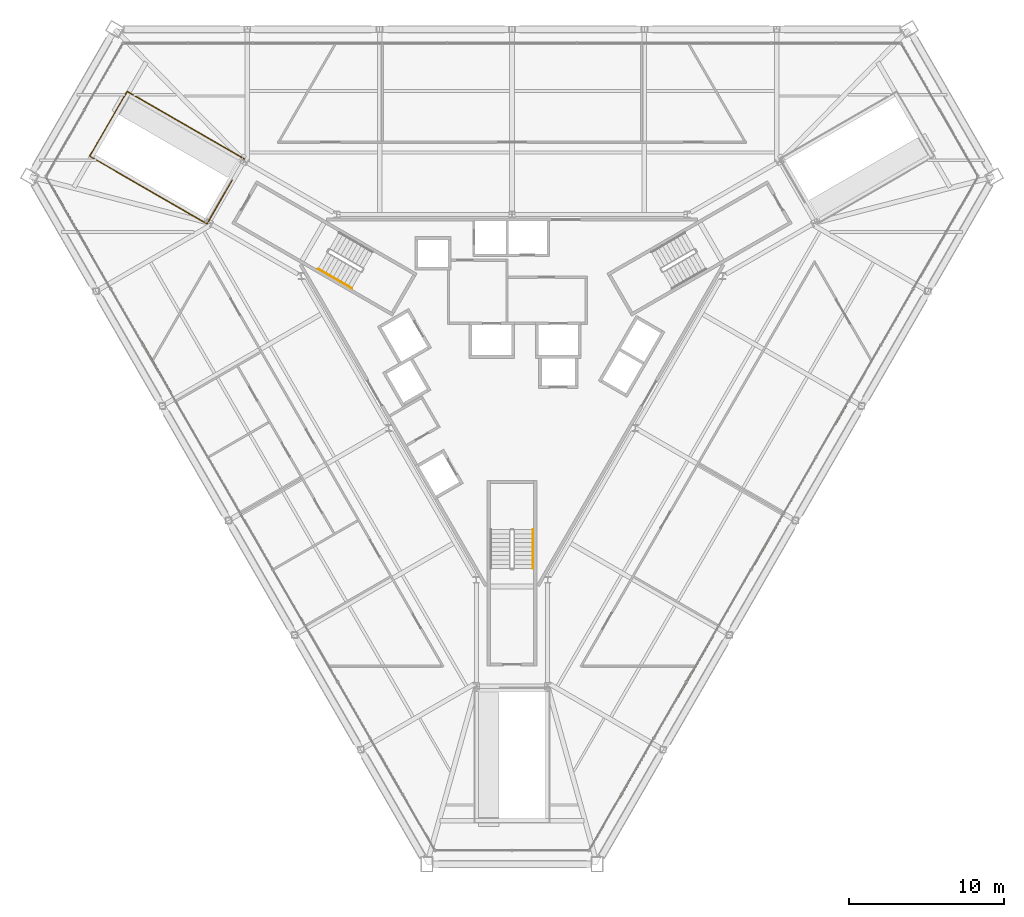
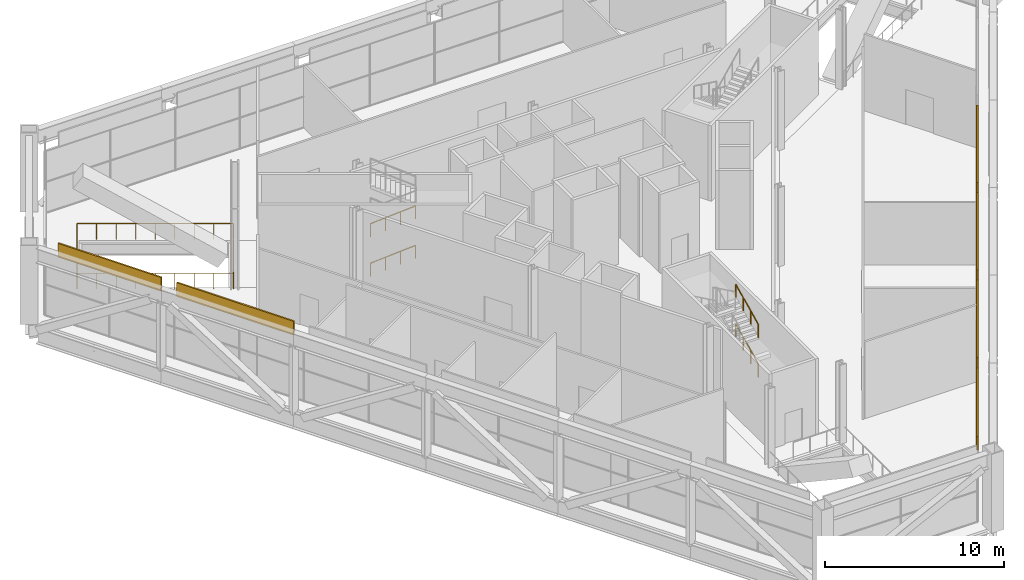
# One storey, part 17 of 20: 6 coverings, 5 railings.
"""IFC4 building model written with IfcOpenShell, lengths in metres."""

from ifc_helpers import new_model, si_unit, direction, frame, origin, origin_2d, place, context, subcontext, project, spatial, rectangle, circle, extrude, material, layer, layer_set, type_object, element, save


model = new_model("IFC4")

# Units and contexts
model_context = context("Model", 3, precision=1e-05, world=origin(), true_north=direction((0.0, 1.0)))
body_context = subcontext(model_context, "Body", "Model", "MODEL_VIEW")
ifc_project = project(units=[si_unit("LENGTHUNIT", "METRE"), si_unit("AREAUNIT", "SQUARE_METRE"), si_unit("VOLUMEUNIT", "CUBIC_METRE"), si_unit("PLANEANGLEUNIT", "RADIAN"), si_unit("MASSUNIT", "GRAM", prefix="KILO")], contexts=[model_context])

# Site, building, storey
site_placement = place(None, origin())
site = spatial("IfcSite", under=ifc_project, at=site_placement, CompositionType="ELEMENT")
building_placement = place(site_placement, origin())
building = spatial("IfcBuilding", under=site, at=building_placement, Name="Verrane Prism Tower", CompositionType="ELEMENT")
storey_placement = place(building_placement, frame((0.0, 0.0, 12.0)))
storey = spatial("IfcBuildingStorey", under=building, at=storey_placement, Name="L01", CompositionType="ELEMENT", Elevation=12.0)

# Coverings
ifc_material_1 = material(Name="Limestone cladding", Category="masonry")
ifc_layer = layer(ifc_material_1, 0.10009765625)
ifc_layer_set = layer_set([ifc_layer], Name="FA-100 stone fascia panel")
covering_type = type_object("IfcCoveringType", Name="FA-100 stone fascia panel", PredefinedType="CLADDING", material=ifc_layer_set)
covering_1_placement = place(storey_placement, frame((-28.026123046875, 8.002685546875, 4.2900390625), z_axis=(0.0, 0.0, 1.0), x_axis=(0.500000118955, -0.866025335106, 0.0)))
element("IfcCovering", 1, at=covering_1_placement, inside=storey, type_object=covering_type, Name="Stone fascia L01 4.1", PredefinedType="CLADDING", context=body_context, shape_type="SweptSolid", body=[
    extrude(rectangle(XDim=6.670654296875, YDim=0.10009765625, at=origin_2d()), origin(), (0.0, 0.0, 1.0), 0.949951171875),
])
covering_2_placement = place(storey_placement, frame((-23.96923828125, 0.975830078125, 4.2900390625), z_axis=(0.0, 0.0, 1.0), x_axis=(0.500000118955, -0.866025335106, 0.0)))
element("IfcCovering", 2, at=covering_2_placement, inside=storey, type_object=covering_type, Name="Stone fascia L01 4.2", PredefinedType="CLADDING", context=body_context, shape_type="SweptSolid", body=[
    extrude(rectangle(XDim=7.557373046875, YDim=0.10009765625, at=origin_2d()), origin(), (0.0, 0.0, 1.0), 0.949951171875),
])
covering_3_placement = place(storey_placement, frame((7.081787109375, -28.27392578125, 4.2900390625), z_axis=(0.0, 0.0, 1.0), x_axis=(0.500000118955, 0.866025335106, 0.0)))
element("IfcCovering", 3, at=covering_3_placement, inside=storey, type_object=covering_type, Name="Stone fascia L01 6.1", PredefinedType="CLADDING", context=body_context, shape_type="SweptSolid", body=[
    extrude(rectangle(XDim=6.67578125, YDim=0.10009765625, at=origin_2d()), origin(), (0.0, 0.0, 1.0), 0.949951171875),
])
covering_4_placement = place(storey_placement, frame((11.14013671875, -21.24462890625, 4.2900390625), z_axis=(0.0, 0.0, 1.0), x_axis=(0.500000118955, 0.866025335106, 0.0)))
element("IfcCovering", 4, at=covering_4_placement, inside=storey, type_object=covering_type, Name="Stone fascia L01 6.2", PredefinedType="CLADDING", context=body_context, shape_type="SweptSolid", body=[
    extrude(rectangle(XDim=7.55712890625, YDim=0.10009765625, at=origin_2d()), origin(), (0.0, 0.0, 1.0), 0.949951171875),
])
covering_5_placement = place(storey_placement, frame((15.415283203125, -13.83984375, 4.2900390625), z_axis=(0.0, 0.0, 1.0), x_axis=(0.500000118955, 0.866025335106, 0.0)))
element("IfcCovering", 5, at=covering_5_placement, inside=storey, type_object=covering_type, Name="Stone fascia L01 6.3", PredefinedType="CLADDING", context=body_context, shape_type="SweptSolid", body=[
    extrude(rectangle(XDim=7.543701171875, YDim=0.10009765625, at=origin_2d()), origin(), (0.0, 0.0, 1.0), 0.949951171875),
])
covering_6_placement = place(storey_placement, frame((19.6904296875, -6.43505859375, 4.2900390625), z_axis=(0.0, 0.0, 1.0), x_axis=(0.500000118955, 0.866025335106, 0.0)))
element("IfcCovering", 6, at=covering_6_placement, inside=storey, type_object=covering_type, Name="Stone fascia L01 6.4", PredefinedType="CLADDING", context=body_context, shape_type="SweptSolid", body=[
    extrude(rectangle(XDim=7.55712890625, YDim=0.10009765625, at=origin_2d()), origin(), (0.0, 0.0, 1.0), 0.949951171875),
])

# Railings
ifc_material_2 = material(Name="Stainless steel and laminated glass", Category="steel")
railing_type_1 = type_object("IfcRailingType", Name="GR-1100 glass and steel guard", PredefinedType="GUARDRAIL", material=ifc_material_2)
railing_placement = place(storey_placement, frame((-17.296875, 12.78076171875, 0.0)))
element("IfcRailing", 7, at=railing_placement, inside=storey, type_object=railing_type_1, Name="Guard EW2 L01 1", PredefinedType="GUARDRAIL", context=body_context, shape_type="SweptSolid", body=[
    extrude(circle(Radius=0.02392578125, at=origin_2d()), frame((0.0, 0.0, 1.076171875), z_axis=(-0.866029934428, 0.499992152613, 0.0), x_axis=(-0.499992152613, -0.866029934428, 0.0)), (0.0, 0.0, 1.0), 8.750244140625),
    extrude(circle(Radius=0.02392578125, at=origin_2d()), frame((-7.577880859375, 4.375, 1.076171875), z_axis=(-0.499980071345, -0.866036909293, 0.0), x_axis=(0.866036909293, -0.499980071345, 0.0)), (0.0, 0.0, 1.0), 4.840087890625),
    extrude(circle(Radius=0.02392578125, at=origin_2d()), frame((-9.997802734375, 0.183349609375, 1.076171875), z_axis=(0.866022959057, -0.500004234368, 0.0), x_axis=(0.500004234368, 0.866022959057, 0.0)), (0.0, 0.0, 1.0), 8.75),
    extrude(circle(Radius=0.02392578125, at=origin_2d()), frame((-2.420166015625, -4.191650390625, 1.076171875), z_axis=(0.499984717929, 0.866034226713, 0.0), x_axis=(-0.866034226713, 0.499984717929, 0.0)), (0.0, 0.0, 1.0), 3.25),
    extrude(circle(Radius=0.02099609375, at=origin_2d()), origin(), (0.0, 0.0, 1.0), 1.052001953125),
    extrude(circle(Radius=0.02099609375, at=origin_2d()), frame((-0.947265625, 0.546875, 0.0)), (0.0, 0.0, 1.0), 1.052001953125),
    extrude(circle(Radius=0.02099609375, at=origin_2d()), frame((-1.89453125, 1.09375, 0.0)), (0.0, 0.0, 1.0), 1.052001953125),
    extrude(circle(Radius=0.02099609375, at=origin_2d()), frame((-2.841796875, 1.640625, 0.0)), (0.0, 0.0, 1.0), 1.052001953125),
    extrude(circle(Radius=0.02099609375, at=origin_2d()), frame((-3.7890625, 2.1875, 0.0)), (0.0, 0.0, 1.0), 1.052001953125),
    extrude(circle(Radius=0.02099609375, at=origin_2d()), frame((-4.736083984375, 2.734375, 0.0)), (0.0, 0.0, 1.0), 1.052001953125),
    extrude(circle(Radius=0.02099609375, at=origin_2d()), frame((-5.683349609375, 3.28125, 0.0)), (0.0, 0.0, 1.0), 1.052001953125),
    extrude(circle(Radius=0.02099609375, at=origin_2d()), frame((-6.630615234375, 3.828125, 0.0)), (0.0, 0.0, 1.0), 1.052001953125),
    extrude(circle(Radius=0.02099609375, at=origin_2d()), frame((-7.577880859375, 4.375, 0.0)), (0.0, 0.0, 1.0), 1.052001953125),
    extrude(circle(Radius=0.02099609375, at=origin_2d()), frame((-8.061767578125, 3.53662109375, 0.0)), (0.0, 0.0, 1.0), 1.052001953125),
    extrude(circle(Radius=0.02099609375, at=origin_2d()), frame((-8.5458984375, 2.6982421875, 0.0)), (0.0, 0.0, 1.0), 1.052001953125),
    extrude(circle(Radius=0.02099609375, at=origin_2d()), frame((-9.02978515625, 1.860107421875, 0.0)), (0.0, 0.0, 1.0), 1.052001953125),
    extrude(circle(Radius=0.02099609375, at=origin_2d()), frame((-9.513916015625, 1.021728515625, 0.0)), (0.0, 0.0, 1.0), 1.052001953125),
    extrude(circle(Radius=0.02099609375, at=origin_2d()), frame((-9.997802734375, 0.183349609375, 0.0)), (0.0, 0.0, 1.0), 1.052001953125),
    extrude(circle(Radius=0.02099609375, at=origin_2d()), frame((-9.050537109375, -0.363525390625, 0.0)), (0.0, 0.0, 1.0), 1.052001953125),
    extrude(circle(Radius=0.02099609375, at=origin_2d()), frame((-8.103515625, -0.910400390625, 0.0)), (0.0, 0.0, 1.0), 1.052001953125),
    extrude(circle(Radius=0.02099609375, at=origin_2d()), frame((-7.15625, -1.457275390625, 0.0)), (0.0, 0.0, 1.0), 1.052001953125),
    extrude(circle(Radius=0.02099609375, at=origin_2d()), frame((-6.208984375, -2.004150390625, 0.0)), (0.0, 0.0, 1.0), 1.052001953125),
    extrude(circle(Radius=0.02099609375, at=origin_2d()), frame((-5.26171875, -2.551025390625, 0.0)), (0.0, 0.0, 1.0), 1.052001953125),
    extrude(circle(Radius=0.02099609375, at=origin_2d()), frame((-4.314453125, -3.097900390625, 0.0)), (0.0, 0.0, 1.0), 1.052001953125),
    extrude(circle(Radius=0.02099609375, at=origin_2d()), frame((-3.367431640625, -3.644775390625, 0.0)), (0.0, 0.0, 1.0), 1.052001953125),
    extrude(circle(Radius=0.02099609375, at=origin_2d()), frame((-2.420166015625, -4.191650390625, 0.0)), (0.0, 0.0, 1.0), 1.052001953125),
    extrude(circle(Radius=0.02099609375, at=origin_2d()), frame((-1.87841796875, -3.25341796875, 0.0)), (0.0, 0.0, 1.0), 1.052001953125),
    extrude(circle(Radius=0.02099609375, at=origin_2d()), frame((-1.3369140625, -2.315185546875, 0.0)), (0.0, 0.0, 1.0), 1.052001953125),
    extrude(circle(Radius=0.02099609375, at=origin_2d()), frame((-0.795166015625, -1.376953125, 0.0)), (0.0, 0.0, 1.0), 1.052001953125),
])
ifc_material_3 = material(Name="Steel A36 tube", Category="steel")
railing_type_2 = type_object("IfcRailingType", Name="Stair handrail 900 steel tube", PredefinedType="HANDRAIL", material=ifc_material_3)
for number, where, name in (
    (8, (-12.53955078125, 5.680908203125, 0.135009765625), "Stair 2 handrail"),
    (9, (-12.53955078125, 5.680908203125, 2.8349609375), "Stair 2 handrail"),
):
    element("IfcRailing", number, at=place(storey_placement, frame(where)), inside=storey, type_object=railing_type_2, Name=name, PredefinedType="HANDRAIL", context=body_context, shape_type="SweptSolid", body=[
        extrude(circle(Radius=0.02392578125, at=origin_2d()), frame((0.0, 0.0, 0.8759765625), z_axis=(0.780075155716, -0.450382355817, 0.434325321624), x_axis=(0.500004791531, 0.866022637375, 0.0)), (0.0, 0.0, 1.0), 2.797607421875),
        extrude(circle(Radius=0.02099609375, at=origin_2d()), origin(), (0.0, 0.0, 1.0), 0.851806640625),
        extrude(circle(Radius=0.02099609375, at=origin_2d()), frame((0.7275390625, -0.419921875, 0.405029296875)), (0.0, 0.0, 1.0), 0.851806640625),
        extrude(circle(Radius=0.02099609375, at=origin_2d()), frame((1.454833984375, -0.840087890625, 0.81005859375)), (0.0, 0.0, 1.0), 0.851806640625),
        extrude(circle(Radius=0.02099609375, at=origin_2d()), frame((2.182373046875, -1.260009765625, 1.215087890625)), (0.0, 0.0, 1.0), 0.851806640625),
    ])
for number, where, name in (
    (10, (1.35009765625, -13.699951171875, 0.135009765625), "Stair 3 handrail"),
    (11, (1.35009765625, -13.699951171875, 2.8349609375), "Stair 3 handrail"),
):
    element("IfcRailing", number, at=place(storey_placement, frame(where)), inside=storey, type_object=railing_type_2, Name=name, PredefinedType="HANDRAIL", context=body_context, shape_type="SweptSolid", body=[
        extrude(circle(Radius=0.02392578125, at=origin_2d()), frame((0.0, 0.0, 0.8759765625), z_axis=(0.0, 0.900757707942, 0.434321944626), x_axis=(-1.0, 0.0, 0.0)), (0.0, 0.0, 1.0), 2.797607421875),
        extrude(circle(Radius=0.02099609375, at=origin_2d()), origin(), (0.0, 0.0, 1.0), 0.851806640625),
        extrude(circle(Radius=0.02099609375, at=origin_2d()), frame((0.0, 0.840087890625, 0.405029296875)), (0.0, 0.0, 1.0), 0.851806640625),
        extrude(circle(Radius=0.02099609375, at=origin_2d()), frame((0.0, 1.679931640625, 0.81005859375)), (0.0, 0.0, 1.0), 0.851806640625),
        extrude(circle(Radius=0.02099609375, at=origin_2d()), frame((0.0, 2.52001953125, 1.215087890625)), (0.0, 0.0, 1.0), 0.851806640625),
    ])

save(model, "model.ifc")
